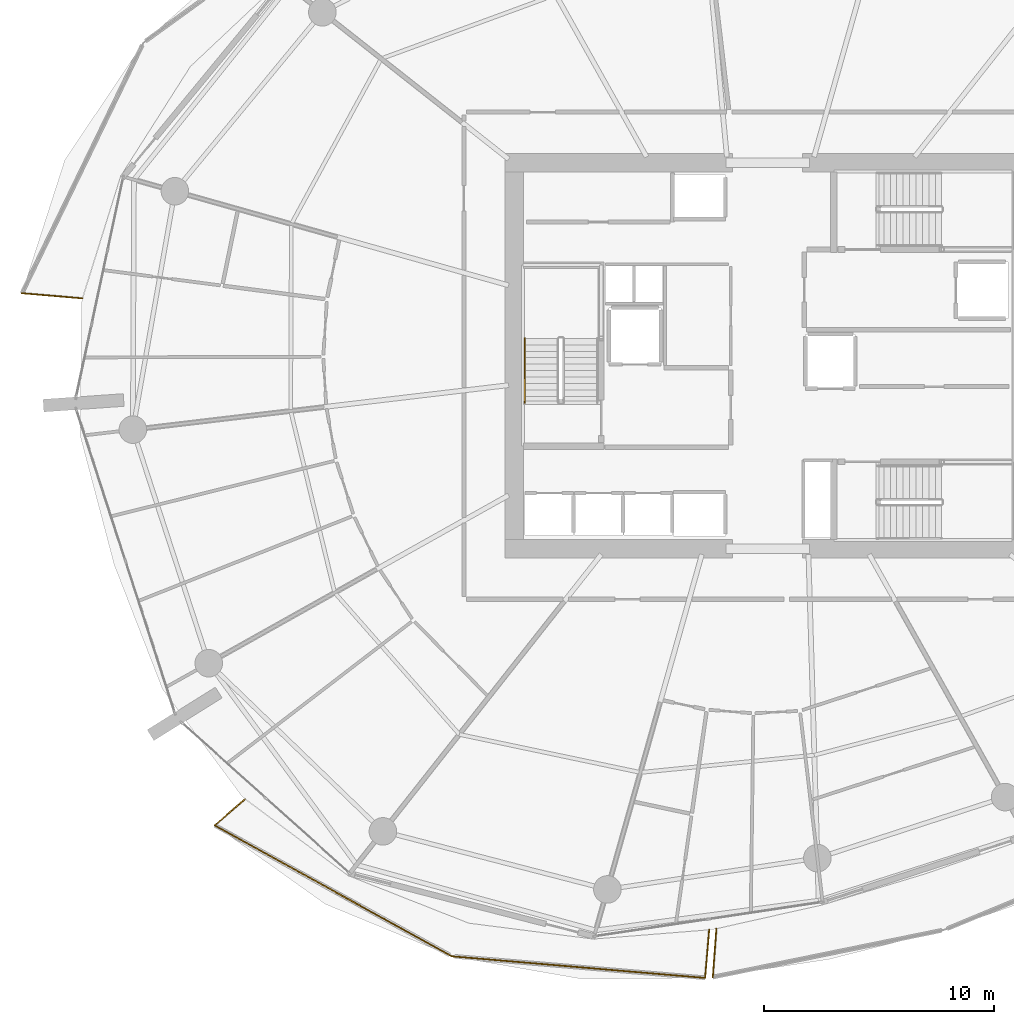
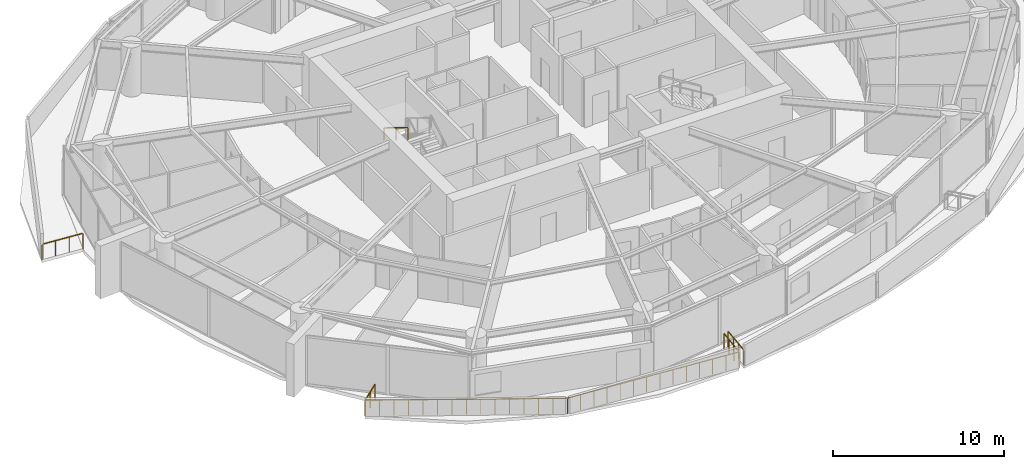
# One storey, part 17 of 23: 7 railings.
"""IFC4 building model written with IfcOpenShell, lengths in metres."""

from ifc_helpers import new_model, si_unit, direction, frame, origin, origin_2d, place, context, subcontext, project, spatial, rectangle, extrude, material, type_object, element, save


model = new_model("IFC4")

# Units and contexts
model_context = context("Model", 3, precision=1e-05, world=origin(), true_north=direction((0.0, 1.0)))
body_context = subcontext(model_context, "Body", "Model", "MODEL_VIEW")
ifc_project = project(units=[si_unit("LENGTHUNIT", "METRE"), si_unit("AREAUNIT", "SQUARE_METRE"), si_unit("VOLUMEUNIT", "CUBIC_METRE"), si_unit("PLANEANGLEUNIT", "RADIAN"), si_unit("MASSUNIT", "GRAM", prefix="KILO")], contexts=[model_context])

# Site, building, storey
site_placement = place(None, origin())
site = spatial("IfcSite", under=ifc_project, at=site_placement, CompositionType="ELEMENT")
building_placement = place(site_placement, origin())
building = spatial("IfcBuilding", under=site, at=building_placement, Name="Kazma Halo Residences", CompositionType="ELEMENT")
storey_placement = place(building_placement, frame((0.0, 0.0, 101.39990234375)))
storey = spatial("IfcBuildingStorey", under=building, at=storey_placement, Name="L25", CompositionType="ELEMENT", Elevation=101.39990234375)

# Railings
ifc_material_1 = material(Name="Aluminium AW-6063 T6 Brushed Cap Rail", Category="aluminium")
railing_type_1 = type_object("IfcRailingType", Name="RLG-BAL-CAP-1120", PredefinedType="BALUSTRADE", material=ifc_material_1)
railing_1_placement = place(storey_placement, frame((15.962646484375, 44.718505859375, 0.0)))
element("IfcRailing", 1, at=railing_1_placement, inside=storey, type_object=railing_type_1, Name="L25 NW wave balcony guard 4", PredefinedType="BALUSTRADE", context=body_context, shape_type="SweptSolid", body=[
    extrude(rectangle(XDim=0.050048828125, YDim=0.050048828125, at=origin_2d()), frame((0.04248046875, -0.003662109375, 1.09521484375), z_axis=(0.996413783339, -0.084614256311, 0.0), x_axis=(0.084614256311, 0.996413783339, 0.0)), (0.0, 0.0, 1.0), 2.554931640625),
    extrude(rectangle(XDim=0.0400390625, YDim=0.0400390625, at=origin_2d()), origin(), (0.0, 0.0, 1.0), 1.05810546875),
    extrude(rectangle(XDim=0.0400390625, YDim=0.0400390625, at=origin_2d()), frame((0.876953125, -0.074462890625, 0.0)), (0.0, 0.0, 1.0), 1.05810546875),
    extrude(rectangle(XDim=0.0400390625, YDim=0.0400390625, at=origin_2d()), frame((1.753662109375, -0.14892578125, 0.0)), (0.0, 0.0, 1.0), 1.05810546875),
    extrude(rectangle(XDim=0.0400390625, YDim=0.0400390625, at=origin_2d()), frame((2.630615234375, -0.223388671875, 0.0)), (0.0, 0.0, 1.0), 1.05810546875),
])
railing_2_placement = place(storey_placement, frame((25.676025390625, 22.696533203125, 0.0)))
element("IfcRailing", 2, at=railing_2_placement, inside=storey, type_object=railing_type_1, Name="L25 SW wave balcony guard 1", PredefinedType="BALUSTRADE", context=body_context, shape_type="SweptSolid", body=[
    extrude(rectangle(XDim=0.050048828125, YDim=0.050048828125, at=origin_2d()), frame((-0.0322265625, -0.02783203125, 1.09521484375), z_axis=(-0.756376264317, -0.654136795157, 0.0), x_axis=(0.654136795157, -0.756376264317, 0.0)), (0.0, 0.0, 1.0), 1.660400390625),
    extrude(rectangle(XDim=0.0400390625, YDim=0.0400390625, at=origin_2d()), origin(), (0.0, 0.0, 1.0), 1.05810546875),
    extrude(rectangle(XDim=0.0400390625, YDim=0.0400390625, at=origin_2d()), frame((-0.66015625, -0.57080078125, 0.0)), (0.0, 0.0, 1.0), 1.05810546875),
    extrude(rectangle(XDim=0.0400390625, YDim=0.0400390625, at=origin_2d()), frame((-1.3203125, -1.141845703125, 0.0)), (0.0, 0.0, 1.0), 1.05810546875),
])
railing_3_placement = place(storey_placement, frame((24.355712890625, 21.5546875, 0.0)))
element("IfcRailing", 3, at=railing_3_placement, inside=storey, type_object=railing_type_1, Name="L25 SW wave balcony guard 2", PredefinedType="BALUSTRADE", context=body_context, shape_type="SweptSolid", body=[
    extrude(rectangle(XDim=0.050048828125, YDim=0.050048828125, at=origin_2d()), frame((0.037353515625, -0.0205078125, 1.09521484375), z_axis=(0.875455960149, -0.483297901754, 0.0), x_axis=(0.483297901754, 0.875455960149, 0.0)), (0.0, 0.0, 1.0), 11.706787109375),
    extrude(rectangle(XDim=0.0400390625, YDim=0.0400390625, at=origin_2d()), origin(), (0.0, 0.0, 1.0), 1.05810546875),
    extrude(rectangle(XDim=0.0400390625, YDim=0.0400390625, at=origin_2d()), frame((0.7373046875, -0.406982421875, 0.0)), (0.0, 0.0, 1.0), 1.05810546875),
    extrude(rectangle(XDim=0.0400390625, YDim=0.0400390625, at=origin_2d()), frame((1.474853515625, -0.814208984375, 0.0)), (0.0, 0.0, 1.0), 1.05810546875),
    extrude(rectangle(XDim=0.0400390625, YDim=0.0400390625, at=origin_2d()), frame((2.212158203125, -1.22119140625, 0.0)), (0.0, 0.0, 1.0), 1.05810546875),
    extrude(rectangle(XDim=0.0400390625, YDim=0.0400390625, at=origin_2d()), frame((2.949462890625, -1.628173828125, 0.0)), (0.0, 0.0, 1.0), 1.05810546875),
    extrude(rectangle(XDim=0.0400390625, YDim=0.0400390625, at=origin_2d()), frame((3.686767578125, -2.035400390625, 0.0)), (0.0, 0.0, 1.0), 1.05810546875),
    extrude(rectangle(XDim=0.0400390625, YDim=0.0400390625, at=origin_2d()), frame((4.42431640625, -2.4423828125, 0.0)), (0.0, 0.0, 1.0), 1.05810546875),
    extrude(rectangle(XDim=0.0400390625, YDim=0.0400390625, at=origin_2d()), frame((5.16162109375, -2.849609375, 0.0)), (0.0, 0.0, 1.0), 1.05810546875),
    extrude(rectangle(XDim=0.0400390625, YDim=0.0400390625, at=origin_2d()), frame((5.89892578125, -3.256591796875, 0.0)), (0.0, 0.0, 1.0), 1.05810546875),
    extrude(rectangle(XDim=0.0400390625, YDim=0.0400390625, at=origin_2d()), frame((6.636474609375, -3.66357421875, 0.0)), (0.0, 0.0, 1.0), 1.05810546875),
    extrude(rectangle(XDim=0.0400390625, YDim=0.0400390625, at=origin_2d()), frame((7.373779296875, -4.07080078125, 0.0)), (0.0, 0.0, 1.0), 1.05810546875),
    extrude(rectangle(XDim=0.0400390625, YDim=0.0400390625, at=origin_2d()), frame((8.111083984375, -4.477783203125, 0.0)), (0.0, 0.0, 1.0), 1.05810546875),
    extrude(rectangle(XDim=0.0400390625, YDim=0.0400390625, at=origin_2d()), frame((8.848388671875, -4.884765625, 0.0)), (0.0, 0.0, 1.0), 1.05810546875),
    extrude(rectangle(XDim=0.0400390625, YDim=0.0400390625, at=origin_2d()), frame((9.5859375, -5.2919921875, 0.0)), (0.0, 0.0, 1.0), 1.05810546875),
    extrude(rectangle(XDim=0.0400390625, YDim=0.0400390625, at=origin_2d()), frame((10.3232421875, -5.698974609375, 0.0)), (0.0, 0.0, 1.0), 1.05810546875),
])
railing_4_placement = place(storey_placement, frame((34.678955078125, 15.855712890625, 0.0)))
element("IfcRailing", 4, at=railing_4_placement, inside=storey, type_object=railing_type_1, Name="L25 SW wave balcony guard 3", PredefinedType="BALUSTRADE", context=body_context, shape_type="SweptSolid", body=[
    extrude(rectangle(XDim=0.050048828125, YDim=0.050048828125, at=origin_2d()), frame((0.04248046875, -0.003662109375, 1.09521484375), z_axis=(0.996376631535, -0.085050620995, 0.0), x_axis=(0.085050620995, 0.996376631535, 0.0)), (0.0, 0.0, 1.0), 10.97802734375),
    extrude(rectangle(XDim=0.0400390625, YDim=0.0400390625, at=origin_2d()), origin(), (0.0, 0.0, 1.0), 1.05810546875),
    extrude(rectangle(XDim=0.0400390625, YDim=0.0400390625, at=origin_2d()), frame((0.847900390625, -0.072265625, 0.0)), (0.0, 0.0, 1.0), 1.05810546875),
    extrude(rectangle(XDim=0.0400390625, YDim=0.0400390625, at=origin_2d()), frame((1.69580078125, -0.144775390625, 0.0)), (0.0, 0.0, 1.0), 1.05810546875),
    extrude(rectangle(XDim=0.0400390625, YDim=0.0400390625, at=origin_2d()), frame((2.543701171875, -0.217041015625, 0.0)), (0.0, 0.0, 1.0), 1.05810546875),
    extrude(rectangle(XDim=0.0400390625, YDim=0.0400390625, at=origin_2d()), frame((3.3916015625, -0.28955078125, 0.0)), (0.0, 0.0, 1.0), 1.05810546875),
    extrude(rectangle(XDim=0.0400390625, YDim=0.0400390625, at=origin_2d()), frame((4.239501953125, -0.36181640625, 0.0)), (0.0, 0.0, 1.0), 1.05810546875),
    extrude(rectangle(XDim=0.0400390625, YDim=0.0400390625, at=origin_2d()), frame((5.08740234375, -0.434326171875, 0.0)), (0.0, 0.0, 1.0), 1.05810546875),
    extrude(rectangle(XDim=0.0400390625, YDim=0.0400390625, at=origin_2d()), frame((5.935546875, -0.506591796875, 0.0)), (0.0, 0.0, 1.0), 1.05810546875),
    extrude(rectangle(XDim=0.0400390625, YDim=0.0400390625, at=origin_2d()), frame((6.783447265625, -0.5791015625, 0.0)), (0.0, 0.0, 1.0), 1.05810546875),
    extrude(rectangle(XDim=0.0400390625, YDim=0.0400390625, at=origin_2d()), frame((7.63134765625, -0.6513671875, 0.0)), (0.0, 0.0, 1.0), 1.05810546875),
    extrude(rectangle(XDim=0.0400390625, YDim=0.0400390625, at=origin_2d()), frame((8.479248046875, -0.723876953125, 0.0)), (0.0, 0.0, 1.0), 1.05810546875),
    extrude(rectangle(XDim=0.0400390625, YDim=0.0400390625, at=origin_2d()), frame((9.3271484375, -0.796142578125, 0.0)), (0.0, 0.0, 1.0), 1.05810546875),
    extrude(rectangle(XDim=0.0400390625, YDim=0.0400390625, at=origin_2d()), frame((10.175048828125, -0.86865234375, 0.0)), (0.0, 0.0, 1.0), 1.05810546875),
    extrude(rectangle(XDim=0.0400390625, YDim=0.0400390625, at=origin_2d()), frame((11.02294921875, -0.94091796875, 0.0)), (0.0, 0.0, 1.0), 1.05810546875),
])
railing_5_placement = place(storey_placement, frame((45.701904296875, 14.914794921875, 0.0)))
element("IfcRailing", 5, at=railing_5_placement, inside=storey, type_object=railing_type_1, Name="L25 SW wave balcony guard 4", PredefinedType="BALUSTRADE", context=body_context, shape_type="SweptSolid", body=[
    extrude(rectangle(XDim=0.050048828125, YDim=0.050048828125, at=origin_2d()), frame((0.003662109375, 0.04248046875, 1.09521484375), z_axis=(0.084507629378, 0.996422832224, 0.0), x_axis=(-0.996422832224, 0.084507629378, 0.0)), (0.0, 0.0, 1.0), 2.01513671875),
    extrude(rectangle(XDim=0.0400390625, YDim=0.0400390625, at=origin_2d()), origin(), (0.0, 0.0, 1.0), 1.05810546875),
    extrude(rectangle(XDim=0.0400390625, YDim=0.0400390625, at=origin_2d()), frame((0.05908203125, 0.697509765625, 0.0)), (0.0, 0.0, 1.0), 1.05810546875),
    extrude(rectangle(XDim=0.0400390625, YDim=0.0400390625, at=origin_2d()), frame((0.118408203125, 1.395263671875, 0.0)), (0.0, 0.0, 1.0), 1.05810546875),
    extrude(rectangle(XDim=0.0400390625, YDim=0.0400390625, at=origin_2d()), frame((0.177490234375, 2.0927734375, 0.0)), (0.0, 0.0, 1.0), 1.05810546875),
])
railing_6_placement = place(storey_placement, frame((46.18994140625, 17.05419921875, 0.0)))
element("IfcRailing", 6, at=railing_6_placement, inside=storey, type_object=railing_type_1, Name="L25 SSE wave balcony guard 1", PredefinedType="BALUSTRADE", context=body_context, shape_type="SweptSolid", body=[
    extrude(rectangle(XDim=0.050048828125, YDim=0.050048828125, at=origin_2d()), frame((-0.003173828125, -0.04248046875, 1.09521484375), z_axis=(-0.072387443062, -0.997376587898, 0.0), x_axis=(0.997376587898, -0.072387443062, 0.0)), (0.0, 0.0, 1.0), 2.029541015625),
    extrude(rectangle(XDim=0.0400390625, YDim=0.0400390625, at=origin_2d()), origin(), (0.0, 0.0, 1.0), 1.05810546875),
    extrude(rectangle(XDim=0.0400390625, YDim=0.0400390625, at=origin_2d()), frame((-0.051025390625, -0.703125, 0.0)), (0.0, 0.0, 1.0), 1.05810546875),
    extrude(rectangle(XDim=0.0400390625, YDim=0.0400390625, at=origin_2d()), frame((-0.10205078125, -1.406005859375, 0.0)), (0.0, 0.0, 1.0), 1.05810546875),
    extrude(rectangle(XDim=0.0400390625, YDim=0.0400390625, at=origin_2d()), frame((-0.153076171875, -2.109130859375, 0.0)), (0.0, 0.0, 1.0), 1.05810546875),
])
ifc_material_2 = material(Name="Brushed Stainless Steel", Category="steel")
railing_type_2 = type_object("IfcRailingType", Name="RLG-STAIR-HND-900", PredefinedType="HANDRAIL", material=ifc_material_2)
railing_7_placement = place(storey_placement, frame((37.85009765625, 42.75, 2.045654296875)))
element("IfcRailing", 7, at=railing_7_placement, inside=storey, type_object=railing_type_2, Name="L25 ST-01 stair handrail 2", PredefinedType="HANDRAIL", context=body_context, shape_type="SweptSolid", body=[
    extrude(rectangle(XDim=0.050048828125, YDim=0.050048828125, at=origin_2d()), frame((0.0, -0.036376953125, 0.89697265625), z_axis=(0.0, -0.854202870247, 0.519939858505), x_axis=(1.0, 0.0, 0.0)), (0.0, 0.0, 1.0), 3.19287109375),
    extrude(rectangle(XDim=0.0400390625, YDim=0.0400390625, at=origin_2d()), origin(), (0.0, 0.0, 1.0), 0.837890625),
    extrude(rectangle(XDim=0.0400390625, YDim=0.0400390625, at=origin_2d()), frame((0.0, -1.39990234375, 0.85205078125)), (0.0, 0.0, 1.0), 0.837890625),
    extrude(rectangle(XDim=0.0400390625, YDim=0.0400390625, at=origin_2d()), frame((0.0, -2.800048828125, 1.704345703125)), (0.0, 0.0, 1.0), 0.837890625),
])

save(model, "model.ifc")
